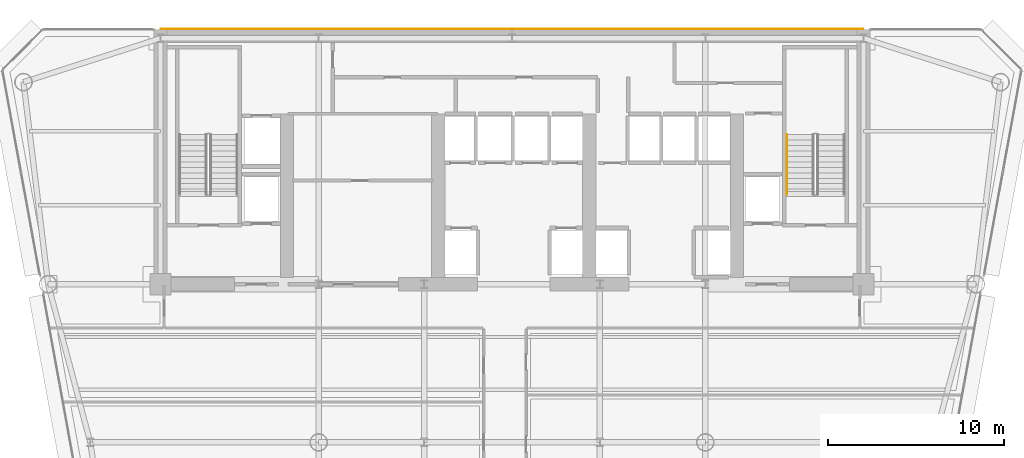
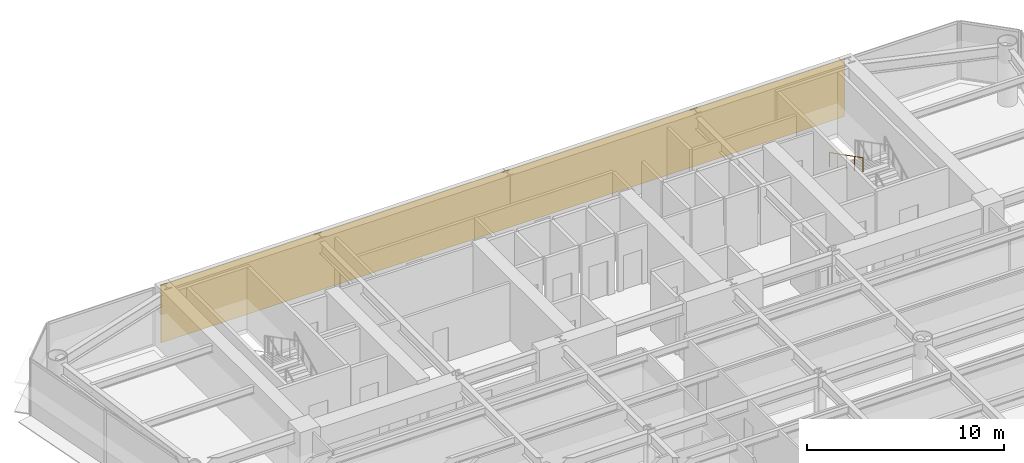
# One storey, part 16 of 17: 1 covering, 1 railing.
"""IFC4 building model written with IfcOpenShell, lengths in metres."""

from ifc_helpers import new_model, si_unit, direction, frame, origin, origin_2d, place, context, subcontext, project, spatial, polyline, circle, outline, extrude, material, layer, layer_set, type_object, element, save


model = new_model("IFC4")

# Units and contexts
model_context = context("Model", 3, precision=1e-05, world=origin(), true_north=direction((0.0, 1.0)))
body_context = subcontext(model_context, "Body", "Model", "MODEL_VIEW")
ifc_project = project(units=[si_unit("LENGTHUNIT", "METRE"), si_unit("AREAUNIT", "SQUARE_METRE"), si_unit("VOLUMEUNIT", "CUBIC_METRE"), si_unit("PLANEANGLEUNIT", "RADIAN"), si_unit("MASSUNIT", "GRAM", prefix="KILO")], contexts=[model_context])

# Site, building, storey
site_placement = place(None, origin())
site = spatial("IfcSite", under=ifc_project, at=site_placement, CompositionType="ELEMENT")
building_placement = place(site_placement, origin())
building = spatial("IfcBuilding", under=site, at=building_placement, Name="Vaeldorn Concourse Tower", CompositionType="ELEMENT")
storey_placement = place(building_placement, frame((0.0, 0.0, 153.800048828125)))
storey = spatial("IfcBuildingStorey", under=building, at=storey_placement, Name="L39", CompositionType="ELEMENT", Elevation=153.800048828125)

# Covering
ifc_material = material(Name="Anodised Bronze Aluminium", Category="aluminium")
ifc_layer = layer(ifc_material, 0.050048828125)
ifc_layer_set = layer_set([ifc_layer], Name="Anodised Bronze Aluminium")
covering_type = type_object("IfcCoveringType", Name="COV-CLAD-BRONZE", PredefinedType="CLADDING", material=ifc_layer_set)
covering_placement = place(storey_placement, origin())
element("IfcCovering", 1, at=covering_placement, inside=storey, type_object=covering_type, Name="Rear Core Bronze Spandrel Cladding L39", PredefinedType="CLADDING", context=body_context, shape_type="SweptSolid", body=[
    extrude(outline(polyline([(14.0, 51.0), (54.0, 51.0), (54.0, 51.050048828125), (14.0, 51.050048828125), (14.0, 51.0)])), origin(), (0.0, 0.0, 1.0), 3.579833984375),
])

# Railing
railing_type = type_object("IfcRailingType", Name="RL-STAIR-HANDRAIL", PredefinedType="HANDRAIL", material=ifc_material)
railing_placement = place(storey_placement, frame((49.64990234375, 45.010009765625, 2.058349609375)))
element("IfcRailing", 2, at=railing_placement, inside=storey, type_object=railing_type, Name="L39 ST-2 stair handrail 2", PredefinedType="HANDRAIL", context=body_context, shape_type="SweptSolid", body=[
    extrude(circle(Radius=0.02392578125, at=origin_2d()), frame((0.0, 0.0, 0.8759765625), z_axis=(0.0, -0.890555807335, 0.454873997962), x_axis=(1.0, 0.0, 0.0)), (0.0, 0.0, 1.0), 3.828857421875),
    extrude(circle(Radius=0.02099609375, at=origin_2d()), origin(), (0.0, 0.0, 1.0), 0.851806640625),
    extrude(circle(Radius=0.02099609375, at=origin_2d()), frame((0.0, -0.8525390625, 0.435546875)), (0.0, 0.0, 1.0), 0.851806640625),
    extrude(circle(Radius=0.02099609375, at=origin_2d()), frame((0.0, -1.705078125, 0.870849609375)), (0.0, 0.0, 1.0), 0.851806640625),
    extrude(circle(Radius=0.02099609375, at=origin_2d()), frame((0.0, -2.557373046875, 1.30615234375)), (0.0, 0.0, 1.0), 0.851806640625),
    extrude(circle(Radius=0.02099609375, at=origin_2d()), frame((0.0, -3.409912109375, 1.74169921875)), (0.0, 0.0, 1.0), 0.851806640625),
])

save(model, "model.ifc")
